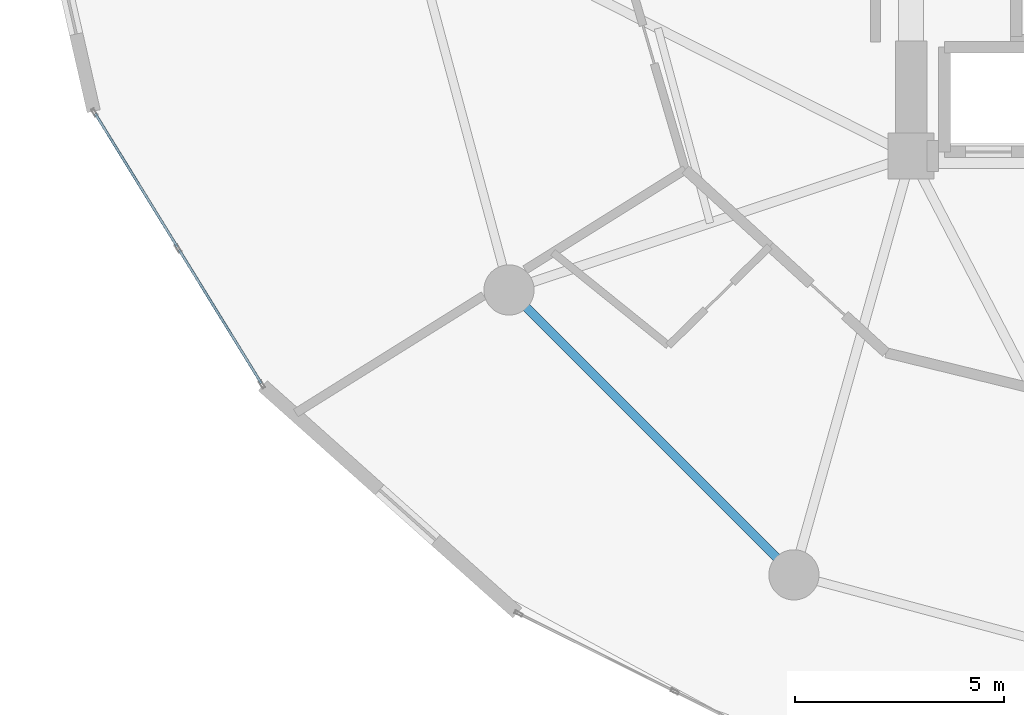
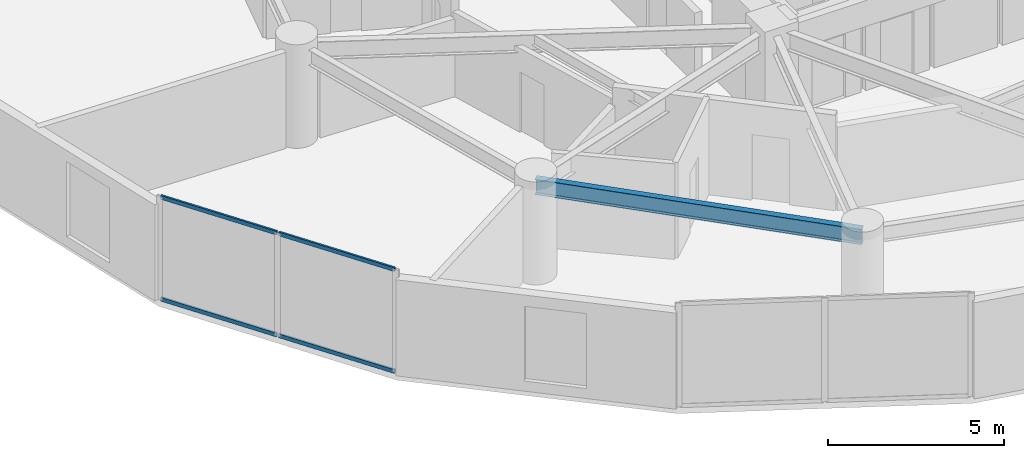
# One storey, part 3 of 26: 4 members, 1 beam, 1 element without a shape of its own.
"""IFC4 building model written with IfcOpenShell, lengths in metres."""

from ifc_helpers import new_model, si_unit, direction, frame, origin, origin_2d, place, context, subcontext, project, spatial, hollow_rectangle, i_section, extrude, source, transform, mapped, material, layer, layer_set, material_profile, profile_set, type_object, element, aggregate, save


model = new_model("IFC4")

# Units and contexts
model_context = context("Model", 3, precision=1e-05, world=origin(), true_north=direction((0.0, 1.0)))
body_context = subcontext(model_context, "Body", "Model", "MODEL_VIEW")
ifc_project = project(units=[si_unit("LENGTHUNIT", "METRE"), si_unit("AREAUNIT", "SQUARE_METRE"), si_unit("VOLUMEUNIT", "CUBIC_METRE"), si_unit("PLANEANGLEUNIT", "RADIAN"), si_unit("MASSUNIT", "GRAM", prefix="KILO")], contexts=[model_context])

# Site, building, storey
site_placement = place(None, origin())
site = spatial("IfcSite", under=ifc_project, at=site_placement, CompositionType="ELEMENT")
building_placement = place(site_placement, origin())
building = spatial("IfcBuilding", under=site, at=building_placement, Name="Solvirekh Grand Hotel", CompositionType="ELEMENT")
storey_placement = place(building_placement, frame((0.0, 0.0, 71.60009765625)))
storey = spatial("IfcBuildingStorey", under=building, at=storey_placement, Name="L17", CompositionType="ELEMENT", Elevation=71.60009765625)

# Beam
ifc_material_1 = material(Name="Steel S355", Category="steel")
ifc_material_profile_1 = material_profile(ifc_material_1, i_section(OverallWidth=0.208984375, OverallDepth=0.532958984375, WebThickness=0.010009765625, FlangeThickness=0.014892578125, FilletRadius=0.013916015625, at=origin_2d()), Name="W530X92")
ifc_profile_set_1 = profile_set([ifc_material_profile_1], Name="Steel S355")
beam_type = type_object("IfcBeamType", Name="Spandrel_Ring_W530", PredefinedType="SPANDREL", material=ifc_profile_set_1)
beam_placement = place(storey_placement, frame((-16.10791015625, -9.300048828125, 3.073974609375), z_axis=(0.707106781187, -0.707106781187, 0.0), x_axis=(0.707106781187, 0.707106781187, 0.0)))
element("IfcBeam", 1, at=beam_placement, inside=storey, type_object=beam_type, Name="L17 perimeter spandrel beam 8", PredefinedType="SPANDREL", context=body_context, shape_type="SweptSolid", body=[
    extrude(i_section(OverallWidth=0.208984375, OverallDepth=0.532958984375, WebThickness=0.010009765625, FlangeThickness=0.014892578125, FilletRadius=0.013916015625, at=origin_2d()), origin(), (0.0, 0.0, 1.0), 9.627685546875),
])

# Curtain wall, members
ifc_material_2 = material(Name="Anodized Bronze Aluminium 6063-T6", Category="aluminium")
ifc_layer = layer(ifc_material_2, 0.18994140625)
ifc_layer_set = layer_set([ifc_layer], Name="Anodized Bronze Aluminium 6063-T6")
curtain_wall_type = type_object("IfcCurtainWallType", Name="CW_Sys2_LowZoneFlushBronzeCW", PredefinedType="NOTDEFINED", material=ifc_layer_set)
curtain_wall_placement = place(storey_placement, origin())
curtain_wall = element("IfcCurtainWall", 2, at=curtain_wall_placement, inside=storey, type_object=curtain_wall_type, Name="L17 unitised bronze-glass curtain wall CW-L17-C13", PredefinedType="NOTDEFINED")
ifc_material_profile_2 = material_profile(ifc_material_2, hollow_rectangle(XDim=0.06005859375, YDim=0.135009765625, WallThickness=0.00390625, at=origin_2d()), Name="ALU RHS 135X60X4")
ifc_profile_set_2 = profile_set([ifc_material_profile_2], Name="Anodized Bronze Aluminium 6063-T6")
member_type = type_object("IfcMemberType", Name="CWTransom_Sys2", PredefinedType="USERDEFINED", material=ifc_profile_set_2)
shared_shape = source(origin(), body_context, "Body", "SweptSolid", [
    extrude(hollow_rectangle(XDim=0.06005859375, YDim=0.135009765625, WallThickness=0.00390625, at=origin_2d()), origin(), (0.0, 0.0, 1.0), 3.74755859375),
])
member_1_placement = place(storey_placement, frame((-25.994384765625, -5.087646484375, 0.02978515625), z_axis=(0.524348195341, -0.851503945994, 0.0), x_axis=(0.851503945994, 0.524348195341, 0.0)))
member_1 = element("IfcMember", 3, at=member_1_placement, type_object=member_type, Name="U02 transom 1.1", ObjectType="TRANSOM", PredefinedType="USERDEFINED", context=body_context, shape_type="MappedRepresentation", body=[
    mapped(shared_shape, transform((0.0, 0.0, 0.0), x_axis=(1.0, 0.0, 0.0), y_axis=(0.0, 1.0, 0.0), z_axis=(0.0, 0.0, 1.0), scale=1.0)),
])
member_2_placement = place(storey_placement, frame((-25.994384765625, -5.087646484375, 3.56982421875), z_axis=(0.524348195341, -0.851503945994, 0.0), x_axis=(0.851503945994, 0.524348195341, 0.0)))
member_2 = element("IfcMember", 4, at=member_2_placement, type_object=member_type, Name="U02 transom 1.2", ObjectType="TRANSOM", PredefinedType="USERDEFINED", context=body_context, shape_type="MappedRepresentation", body=[
    mapped(shared_shape, transform((0.0, 0.0, 0.0), x_axis=(1.0, 0.0, 0.0), y_axis=(0.0, 1.0, 0.0), z_axis=(0.0, 0.0, 1.0), scale=1.0)),
])
member_3_placement = place(storey_placement, frame((-23.99267578125, -8.33837890625, 0.02978515625), z_axis=(0.524377282668, -0.851486033603, 0.0), x_axis=(0.851486033603, 0.524377282668, 0.0)))
member_3 = element("IfcMember", 5, at=member_3_placement, type_object=member_type, Name="U02 transom 2.1", ObjectType="TRANSOM", PredefinedType="USERDEFINED", context=body_context, shape_type="MappedRepresentation", body=[
    mapped(shared_shape, transform((0.0, 0.0, 0.0), x_axis=(1.0, 0.0, 0.0), y_axis=(0.0, 1.0, 0.0), z_axis=(0.0, 0.0, 1.0), scale=1.0)),
])
member_4_placement = place(storey_placement, frame((-23.99267578125, -8.33837890625, 3.56982421875), z_axis=(0.524377282668, -0.851486033603, 0.0), x_axis=(0.851486033603, 0.524377282668, 0.0)))
member_4 = element("IfcMember", 6, at=member_4_placement, type_object=member_type, Name="U02 transom 2.2", ObjectType="TRANSOM", PredefinedType="USERDEFINED", context=body_context, shape_type="MappedRepresentation", body=[
    mapped(shared_shape, transform((0.0, 0.0, 0.0), x_axis=(1.0, 0.0, 0.0), y_axis=(0.0, 1.0, 0.0), z_axis=(0.0, 0.0, 1.0), scale=1.0)),
])
aggregate(curtain_wall, [member_1, member_2, member_3, member_4])

save(model, "model.ifc")
